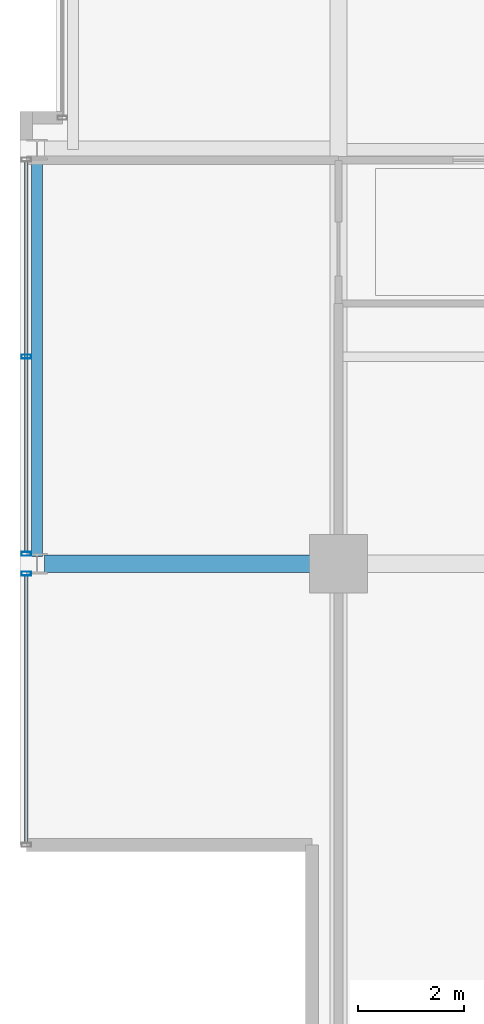
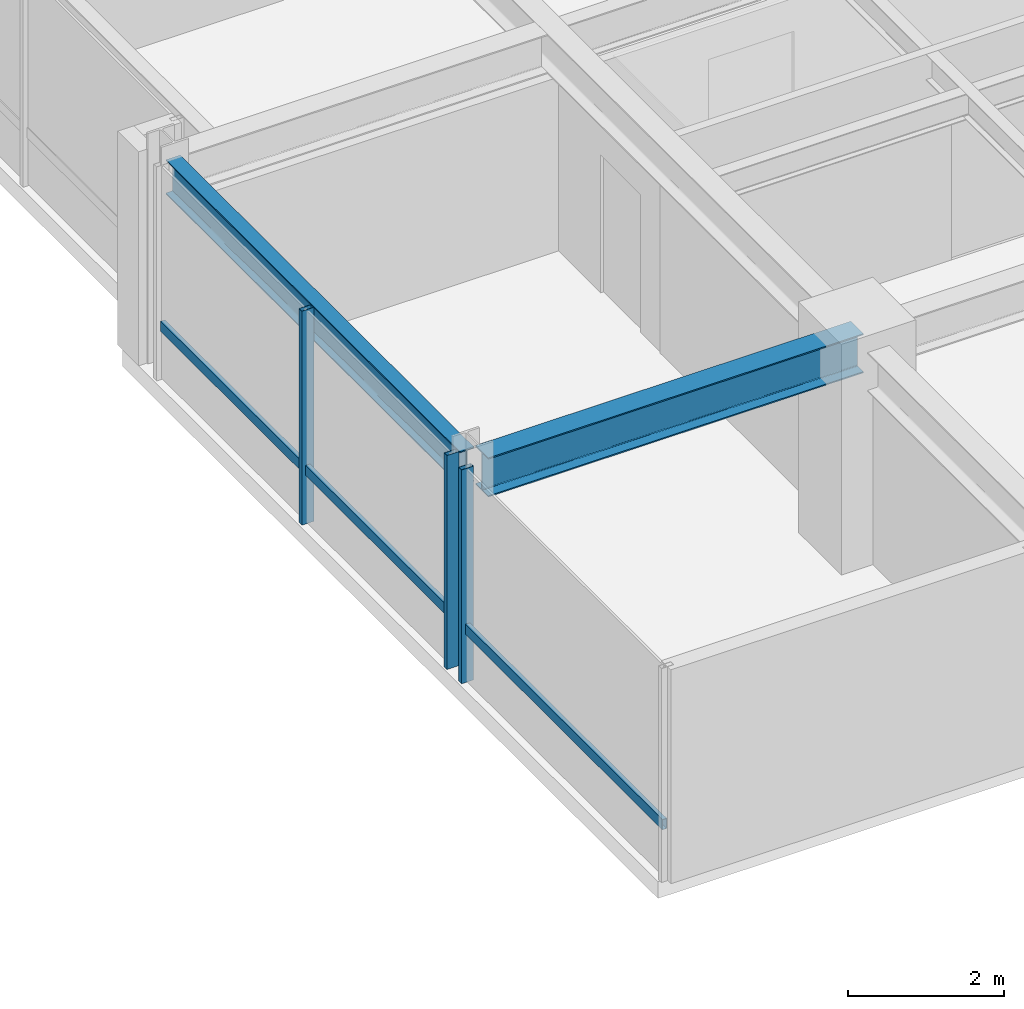
# One storey, part 4 of 32: 5 members, 2 beams, 2 elements without a shape of their own.
"""IFC4 building model written with IfcOpenShell, lengths in metres."""

from ifc_helpers import new_model, si_unit, direction, frame, origin, origin_2d, place, context, subcontext, project, spatial, hollow_rectangle, i_section, extrude, material, layer, layer_set, material_profile, profile_set, type_object, element, aggregate, save


model = new_model("IFC4")

# Units and contexts
model_context = context("Model", 3, precision=1e-05, world=origin(), true_north=direction((0.0, 1.0)))
body_context = subcontext(model_context, "Body", "Model", "MODEL_VIEW")
ifc_project = project(units=[si_unit("LENGTHUNIT", "METRE"), si_unit("AREAUNIT", "SQUARE_METRE"), si_unit("VOLUMEUNIT", "CUBIC_METRE"), si_unit("PLANEANGLEUNIT", "RADIAN"), si_unit("MASSUNIT", "GRAM", prefix="KILO")], contexts=[model_context])

# Site, building, storey
site_placement = place(None, origin())
site = spatial("IfcSite", under=ifc_project, at=site_placement, CompositionType="ELEMENT")
building_placement = place(site_placement, origin())
building = spatial("IfcBuilding", under=site, at=building_placement, Name="Drelvath Grand Hotel", CompositionType="ELEMENT")
storey_placement = place(building_placement, frame((0.0, 0.0, 223.10009765625)))
storey = spatial("IfcBuildingStorey", under=building, at=storey_placement, Name="L58", CompositionType="ELEMENT", Elevation=223.10009765625)

# Curtain wall, member
ifc_material_1 = material(Name="Platinum-Mist Anodised Aluminium Frame", Category="aluminium")
ifc_layer = layer(ifc_material_1, 0.199951171875)
ifc_layer_set = layer_set([ifc_layer], Name="Platinum-Mist Anodised Aluminium Frame")
curtain_wall_type = type_object("IfcCurtainWallType", Name="Stick Curtain Wall CW-05 Platinum Mist High-Rise", PredefinedType="NOTDEFINED", material=ifc_layer_set)
curtain_wall_1_placement = place(storey_placement, origin())
curtain_wall_1 = element("IfcCurtainWall", 1, at=curtain_wall_1_placement, inside=storey, type_object=curtain_wall_type, Name="L58 CW-05 Curtain Wall CW05-L58-WS1", PredefinedType="NOTDEFINED")
ifc_material_profile_1 = material_profile(ifc_material_1, hollow_rectangle(XDim=0.06494140625, YDim=0.159912109375, WallThickness=0.00390625, at=origin_2d()), Name="HSS160X65X4")
ifc_profile_set_1 = profile_set([ifc_material_profile_1], Name="Platinum-Mist Anodised Aluminium Frame")
member_type_1 = type_object("IfcMemberType", Name="Curtain Wall Horizontal Transom CW-05 HSS160X65X4", PredefinedType="USERDEFINED", material=ifc_profile_set_1)
member_1_placement = place(storey_placement, frame((-22.080078125, 5.5400390625, 0.8349609375), z_axis=(0.0, 1.0, 0.0), x_axis=(-1.0, 0.0, 0.0)))
member_1 = element("IfcMember", 2, at=member_1_placement, type_object=member_type_1, Name="CW05-L58-WS1 Sill Transom", ObjectType="TRANSOM", PredefinedType="USERDEFINED", context=body_context, shape_type="SweptSolid", body=[
    extrude(hollow_rectangle(XDim=0.06494140625, YDim=0.159912109375, WallThickness=0.00390625, at=origin_2d()), origin(), (0.0, 0.0, 1.0), 5.03466796875),
])

curtain_wall_2_placement = place(storey_placement, origin())
curtain_wall_2 = element("IfcCurtainWall", 3, at=curtain_wall_2_placement, inside=storey, type_object=curtain_wall_type, Name="L58 CW-05 Curtain Wall CW05-L58-WS2", PredefinedType="NOTDEFINED")
member_2_placement = place(storey_placement, frame((-22.080078125, 11.025390625, 0.8349609375), z_axis=(0.0, 1.0, 0.0), x_axis=(-1.0, 0.0, 0.0)))
member_2 = element("IfcMember", 4, at=member_2_placement, type_object=member_type_1, Name="CW05-L58-WS2 Sill Transom", ObjectType="TRANSOM", PredefinedType="USERDEFINED", context=body_context, shape_type="SweptSolid", body=[
    extrude(hollow_rectangle(XDim=0.06494140625, YDim=0.159912109375, WallThickness=0.00390625, at=origin_2d()), origin(), (0.0, 0.0, 1.0), 7.349365234375),
])

# Member
ifc_material_profile_2 = material_profile(ifc_material_1, hollow_rectangle(XDim=0.074951171875, YDim=0.179931640625, WallThickness=0.0048828125, at=origin_2d()), Name="HSS180X75X5")
ifc_profile_set_2 = profile_set([ifc_material_profile_2], Name="Platinum-Mist Anodised Aluminium Frame")
member_type_2 = type_object("IfcMemberType", Name="Curtain Wall Vertical Mullion CW-05 HSS180X75X5", PredefinedType="MULLION", material=ifc_profile_set_2)
member_3_placement = place(storey_placement, frame((-22.080078125, 10.61474609375, 0.0), z_axis=(0.0, 0.0, 1.0), x_axis=(0.0, 1.0, 0.0)))
member_3 = element("IfcMember", 5, at=member_3_placement, type_object=member_type_2, Name="CW05-L58-WS1 Mullion 2", PredefinedType="MULLION", context=body_context, shape_type="SweptSolid", body=[
    extrude(hollow_rectangle(XDim=0.074951171875, YDim=0.179931640625, WallThickness=0.0048828125, at=origin_2d()), origin(), (0.0, 0.0, 1.0), 3.33984375),
])

aggregate(curtain_wall_1, [member_3, member_1])

member_4_placement = place(storey_placement, frame((-22.080078125, 10.9853515625, 0.0), z_axis=(0.0, 0.0, 1.0), x_axis=(0.0, 1.0, 0.0)))
member_4 = element("IfcMember", 6, at=member_4_placement, type_object=member_type_2, Name="CW05-L58-WS2 Mullion 1", PredefinedType="MULLION", context=body_context, shape_type="SweptSolid", body=[
    extrude(hollow_rectangle(XDim=0.074951171875, YDim=0.179931640625, WallThickness=0.0048828125, at=origin_2d()), origin(), (0.0, 0.0, 1.0), 3.33984375),
])

member_5_placement = place(storey_placement, frame((-22.080078125, 14.699951171875, 0.0), z_axis=(0.0, 0.0, 1.0), x_axis=(0.0, 1.0, 0.0)))
member_5 = element("IfcMember", 7, at=member_5_placement, type_object=member_type_2, Name="CW05-L58-WS2 Mullion 2", PredefinedType="MULLION", context=body_context, shape_type="SweptSolid", body=[
    extrude(hollow_rectangle(XDim=0.074951171875, YDim=0.179931640625, WallThickness=0.0048828125, at=origin_2d()), origin(), (0.0, 0.0, 1.0), 3.33984375),
])

aggregate(curtain_wall_2, [member_4, member_5, member_2])

# Beams
ifc_material_2 = material(Name="Steel ASTM A992 Gr 50", Category="steel")
ifc_material_profile_3 = material_profile(ifc_material_2, i_section(OverallWidth=0.210205078125, OverallDepth=0.53662109375, WebThickness=0.010986328125, FlangeThickness=0.017333984375, FilletRadius=0.01806640625, at=origin_2d()), Name="W21X68")
ifc_profile_set_3 = profile_set([ifc_material_profile_3], Name="Steel ASTM A992 Gr 50")
beam_type_1 = type_object("IfcBeamType", Name="Perimeter Spandrel Beam W21X68", PredefinedType="SPANDREL", material=ifc_profile_set_3)
beam_1_placement = place(storey_placement, frame((-21.8798828125, 10.93994140625, 3.071533203125), z_axis=(0.0, 1.0, 0.0), x_axis=(-1.0, 0.0, 0.0)))
element("IfcBeam", 8, at=beam_1_placement, inside=storey, type_object=beam_type_1, Name="L58 Spandrel West S", PredefinedType="SPANDREL", context=body_context, shape_type="SweptSolid", body=[
    extrude(i_section(OverallWidth=0.210205078125, OverallDepth=0.53662109375, WebThickness=0.010986328125, FlangeThickness=0.017333984375, FilletRadius=0.01806640625, at=origin_2d()), origin(), (0.0, 0.0, 1.0), 7.52001953125),
])
ifc_material_profile_4 = material_profile(ifc_material_2, i_section(OverallWidth=0.323974609375, OverallDepth=0.611083984375, WebThickness=0.0126953125, FlangeThickness=0.01904296875, FilletRadius=0.02197265625, at=origin_2d()), Name="W24X104")
ifc_profile_set_4 = profile_set([ifc_material_profile_4], Name="Steel ASTM A992 Gr 50")
beam_type_2 = type_object("IfcBeamType", Name="Primary Floor Girder W24X104", PredefinedType="BEAM", material=ifc_profile_set_4)
beam_2_placement = place(storey_placement, frame((-21.739990234375, 10.800048828125, 3.034423828125), z_axis=(1.0, 0.0, 0.0), x_axis=(0.0, 1.0, 0.0)))
element("IfcBeam", 9, at=beam_2_placement, inside=storey, type_object=beam_type_2, Name="L58 West Grid Girder C", PredefinedType="BEAM", context=body_context, shape_type="SweptSolid", body=[
    extrude(i_section(OverallWidth=0.323974609375, OverallDepth=0.611083984375, WebThickness=0.0126953125, FlangeThickness=0.01904296875, FilletRadius=0.02197265625, at=origin_2d()), origin(), (0.0, 0.0, 1.0), 5.5400390625),
])

save(model, "model.ifc")
